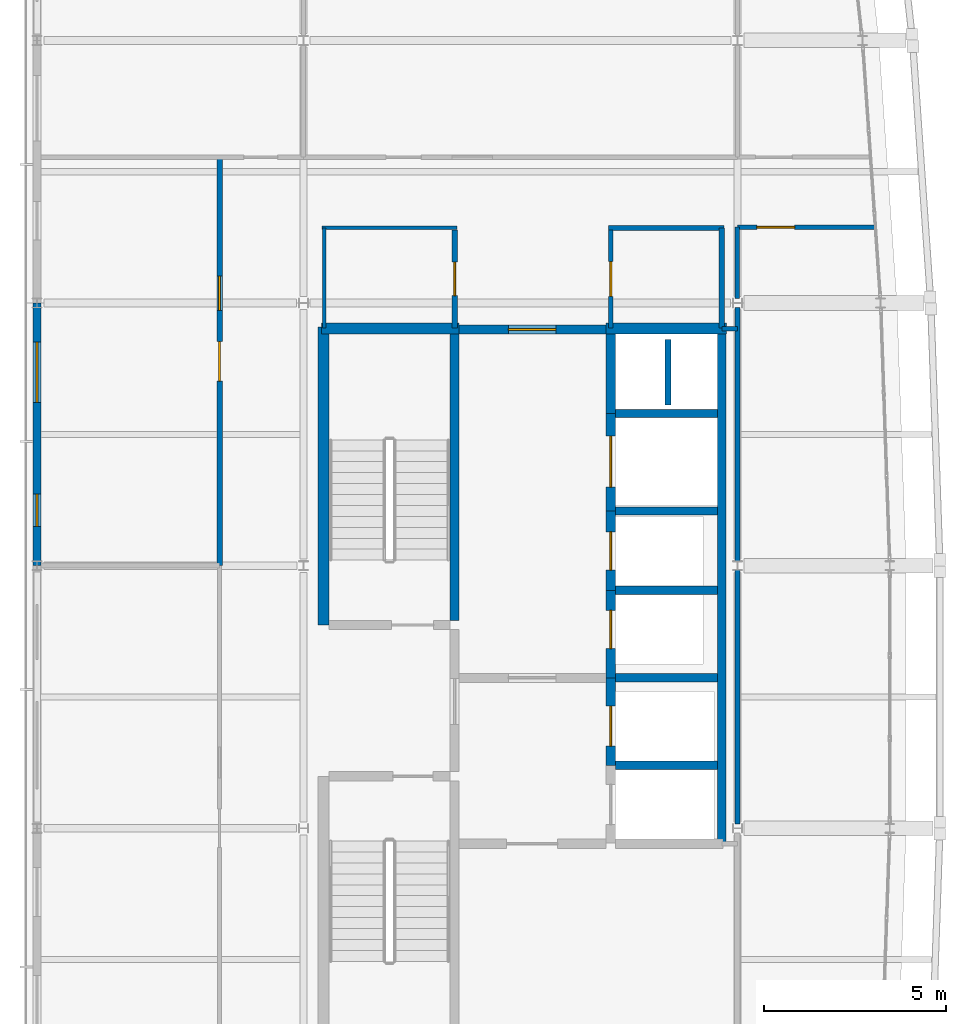
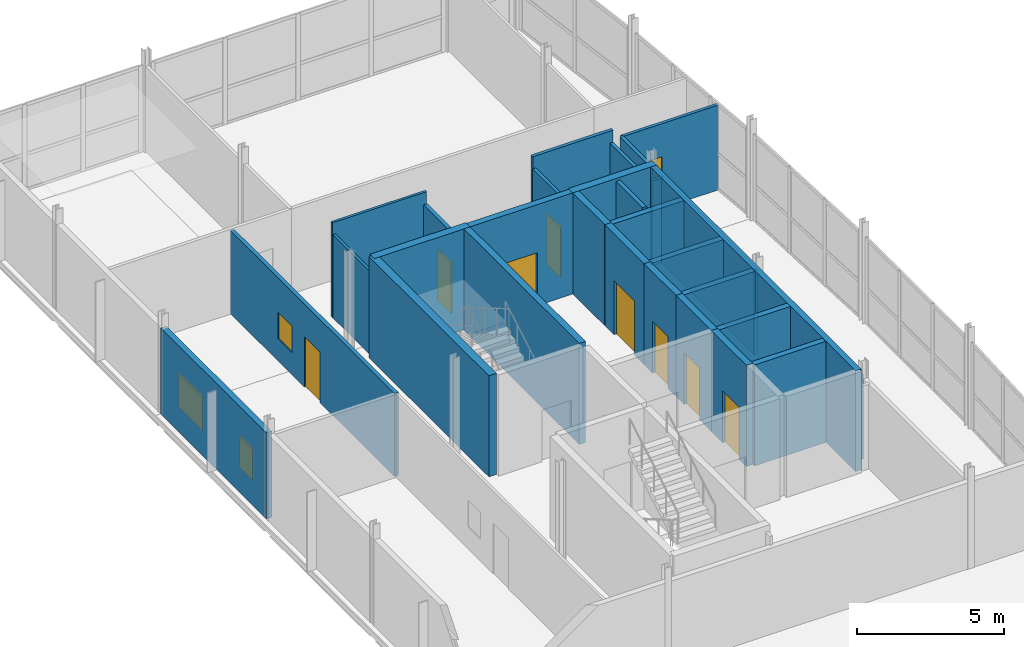
# One storey, part 14 of 17: 30 walls, 9 doors, 3 windows, 12 openings.
"""IFC4 building model written with IfcOpenShell, lengths in metres."""

from ifc_helpers import new_model, si_unit, direction, frame, frame_2d, origin, place, context, subcontext, project, spatial, rectangle, extrude, material, layer, layer_set, type_object, element, fill, save


model = new_model("IFC4")

# Units and contexts
model_context = context("Model", 3, precision=1e-05, world=origin(), true_north=direction((0.0, 1.0)))
body_context = subcontext(model_context, "Body", "Model", "MODEL_VIEW")
ifc_project = project(units=[si_unit("LENGTHUNIT", "METRE"), si_unit("AREAUNIT", "SQUARE_METRE"), si_unit("VOLUMEUNIT", "CUBIC_METRE"), si_unit("PLANEANGLEUNIT", "RADIAN"), si_unit("MASSUNIT", "GRAM", prefix="KILO")], contexts=[model_context])

# Site, building, storey
site_placement = place(None, origin())
site = spatial("IfcSite", under=ifc_project, at=site_placement, CompositionType="ELEMENT")
building_placement = place(site_placement, origin())
building = spatial("IfcBuilding", under=site, at=building_placement, Name="Quillay Park Conservatory", CompositionType="ELEMENT")
storey_placement = place(building_placement, frame((0.0, 0.0, 60.300048828125)))
storey = spatial("IfcBuildingStorey", under=building, at=storey_placement, Name="L14", CompositionType="ELEMENT", Elevation=60.300048828125)

# Walls
ifc_material_1 = material(Name="Steel-Stud Acoustic Gypsum Board Partition", Category="steel")
ifc_layer_1 = layer(ifc_material_1, 0.10009765625)
ifc_layer_set_1 = layer_set([ifc_layer_1], Name="ACOUSTIC GYPSUM PARTITION 100 (Steel-Stud Acoustic Gypsum Board Partition)")
wall_type_1 = type_object("IfcWallType", Name="ACOUSTIC GYPSUM PARTITION 100", PredefinedType="PARTITIONING", material=ifc_layer_set_1)
wall_1_placement = place(storey_placement, frame((8.360107421875, 101.659912109375, 0.0), z_axis=(0.0, 0.0, 1.0), x_axis=(1.0, 0.0, 0.0)))
element("IfcWall", 1, at=wall_1_placement, inside=storey, type_object=wall_type_1, Name="L14 Accessible WC North Wall", PredefinedType="PARTITIONING", context=body_context, shape_type="SweptSolid", body=[
    extrude(rectangle(XDim=3.699951171875, YDim=0.10009765625, at=frame_2d((1.85009765625, 0.0))), origin(), (0.0, 0.0, 1.0), 3.949951171875),
])
ifc_material_2 = material(Name="Steel-Stud Acoustic Gypsum Board Partition", Category="steel")
ifc_layer_2 = layer(ifc_material_2, 0.10498046875)
ifc_layer_set_2 = layer_set([ifc_layer_2], Name="ACOUSTIC GYPSUM PARTITION 105 (Steel-Stud Acoustic Gypsum Board Partition)")
wall_type_2 = type_object("IfcWallType", Name="ACOUSTIC GYPSUM PARTITION 105", PredefinedType="PARTITIONING", material=ifc_layer_set_2)
wall_2_placement = place(storey_placement, frame((8.419921875, 98.919921875, 0.0), z_axis=(0.0, 0.0, 1.0), x_axis=(0.0, 1.0, 0.0)))
element("IfcWall", 2, at=wall_2_placement, inside=storey, type_object=wall_type_2, Name="L14 Accessible WC West Wall", PredefinedType="PARTITIONING", context=body_context, shape_type="SweptSolid", body=[
    extrude(rectangle(XDim=2.739990234375, YDim=0.10498046875, at=frame_2d((1.3701171875, 0.0))), origin(), (0.0, 0.0, 1.0), 3.450927734375),
])
ifc_material_3 = material(Name="Steel-Stud Acoustic Gypsum Board Partition", Category="steel")
ifc_layer_3 = layer(ifc_material_3, 0.1201171875)
ifc_layer_set_3 = layer_set([ifc_layer_3], Name="ACOUSTIC GYPSUM PARTITION 120 (Steel-Stud Acoustic Gypsum Board Partition)")
wall_type_3 = type_object("IfcWallType", Name="ACOUSTIC GYPSUM PARTITION 120", PredefinedType="PARTITIONING", material=ifc_layer_set_3)
wall_3_placement = place(storey_placement, frame((19.75, 98.89990234375, 0.0), z_axis=(0.0, 0.0, 1.0), x_axis=(-1.0, 0.0, 0.0)))
element("IfcWall", 3, at=wall_3_placement, inside=storey, type_object=wall_type_3, Name="L14 Core North-East Closure", PredefinedType="PARTITIONING", context=body_context, shape_type="SweptSolid", body=[
    extrude(rectangle(XDim=0.429931640625, YDim=0.1201171875, at=frame_2d((0.21484375, 0.0))), origin(), (0.0, 0.0, 1.0), 3.52685546875),
])

# Wall, opening, door
wall_4_placement = place(storey_placement, frame((19.75, 101.679931640625, 0.0), z_axis=(0.0, 0.0, 1.0), x_axis=(1.0, 0.0, 0.0)))
wall_4 = element("IfcWall", 4, at=wall_4_placement, inside=storey, type_object=wall_type_3, Name="L14 Andean Cordillera Climate Observatory Studio North Door Wall", PredefinedType="PARTITIONING", context=body_context, shape_type="SweptSolid", body=[
    extrude(rectangle(XDim=3.7900390625, YDim=0.1201171875, at=frame_2d((1.89501953125, 0.0))), origin(), (0.0, 0.0, 1.0), 3.52685546875),
])
opening_1_placement = place(wall_4_placement, frame((0.530029296875, 0.0, 0.0)))
opening_1 = element("IfcOpeningElement", 5, at=opening_1_placement, cuts=wall_4, Name="Opening D-RM10", PredefinedType="OPENING", context=body_context, shape_type="SweptSolid", body=[
    extrude(rectangle(XDim=1.0400390625, YDim=2.14990234375, at=frame_2d((0.52001953125, 1.074951171875))), frame((0.0, 0.06005859375, 0.0), z_axis=(0.0, -1.0, 0.0), x_axis=(1.0, 0.0, 0.0)), (0.0, 0.0, 1.0), 0.1201171875),
])
ifc_material_4 = material(Name="Thermally Broken Anodised Aluminium 6063-T6", Category="aluminium")
door_type_1 = type_object("IfcDoorType", Name="SINGLE SWING DOOR 1040 X2150", OperationType="NOTDEFINED", PredefinedType="DOOR", material=ifc_material_4)
door_1_placement = place(opening_1_placement, origin())
door_1 = element("IfcDoor", 6, at=door_1_placement, inside=storey, type_object=door_type_1, Name="L14 Door to Andean Cordillera Climate Observatory Studio", OperationType="SINGLE_SWING_RIGHT", OverallHeight=2.14990234375, OverallWidth=1.0400390625, PredefinedType="DOOR", context=body_context, shape_type="SweptSolid", body=[
    extrude(rectangle(XDim=1.0400390625, YDim=2.14990234375, at=frame_2d((0.52001953125, 1.074951171875))), frame((0.0, 0.02490234375, 0.0), z_axis=(0.0, -1.0, 0.0), x_axis=(1.0, 0.0, 0.0)), (0.0, 0.0, 1.0), 0.050048828125),
])
fill(opening_1, door_1)

ifc_material_5 = material(Name="Steel-Stud Acoustic Gypsum Board Partition", Category="steel")
ifc_layer_4 = layer(ifc_material_5, 0.125)
ifc_layer_set_4 = layer_set([ifc_layer_4], Name="ACOUSTIC GYPSUM PARTITION 125 (Steel-Stud Acoustic Gypsum Board Partition)")
wall_type_4 = type_object("IfcWallType", Name="ACOUSTIC GYPSUM PARTITION 125", PredefinedType="PARTITIONING", material=ifc_layer_set_4)
wall_5_placement = place(storey_placement, frame((16.280029296875, 98.919921875, 0.0), z_axis=(0.0, 0.0, 1.0), x_axis=(0.0, 1.0, 0.0)))
wall_5 = element("IfcWall", 7, at=wall_5_placement, inside=storey, type_object=wall_type_4, Name="L14 Washroom Door Wall", PredefinedType="PARTITIONING", context=body_context, shape_type="SweptSolid", body=[
    extrude(rectangle(XDim=2.68017578125, YDim=0.125, at=frame_2d((1.340087890625, 0.0))), origin(), (0.0, 0.0, 1.0), 3.450927734375),
])
opening_2_placement = place(wall_5_placement, frame((0.864990234375, 0.0, 0.0)))
opening_2 = element("IfcOpeningElement", 8, at=opening_2_placement, cuts=wall_5, Name="Opening D-RM02", PredefinedType="OPENING", context=body_context, shape_type="SweptSolid", body=[
    extrude(rectangle(XDim=0.949951171875, YDim=2.10009765625, at=frame_2d((0.47509765625, 1.050048828125))), frame((0.0, 0.0625, 0.0), z_axis=(0.0, -1.0, 0.0), x_axis=(1.0, 0.0, 0.0)), (0.0, 0.0, 1.0), 0.125),
])
ifc_material_6 = material(Name="Thermally Broken Anodised Aluminium 6063-T6", Category="aluminium")
door_type_2 = type_object("IfcDoorType", Name="SINGLE SWING DOOR 950 X2100", OperationType="NOTDEFINED", PredefinedType="DOOR", material=ifc_material_6)
door_2_placement = place(opening_2_placement, origin())
door_2 = element("IfcDoor", 9, at=door_2_placement, inside=storey, type_object=door_type_2, Name="L14 Door to L14 Restroom and Washroom", OperationType="SINGLE_SWING_RIGHT", OverallHeight=2.10009765625, OverallWidth=0.949951171875, PredefinedType="DOOR", context=body_context, shape_type="SweptSolid", body=[
    extrude(rectangle(XDim=0.949951171875, YDim=2.10009765625, at=frame_2d((0.47509765625, 1.050048828125))), frame((0.0, 0.02490234375, 0.0), z_axis=(0.0, -1.0, 0.0), x_axis=(1.0, 0.0, 0.0)), (0.0, 0.0, 1.0), 0.050048828125),
])
fill(opening_2, door_2)

# Walls
wall_6_placement = place(storey_placement, frame((19.75, 99.722900390625, 0.0), z_axis=(0.0, 0.0, 1.0), x_axis=(0.0, 1.0, 0.0)))
element("IfcWall", 10, at=wall_6_placement, inside=storey, type_object=wall_type_4, Name="L14 Andean Cordillera Climate Observatory Studio West Wall 4", PredefinedType="PARTITIONING", context=body_context, shape_type="SweptSolid", body=[
    extrude(rectangle(XDim=1.95703125, YDim=0.125, at=frame_2d((0.978515625, 0.0))), origin(), (0.0, 0.0, 1.0), 3.52685546875),
])
ifc_material_7 = material(Name="Steel-Stud Acoustic Gypsum Board Partition", Category="steel")
ifc_layer_5 = layer(ifc_material_7, 0.1298828125)
ifc_layer_set_5 = layer_set([ifc_layer_5], Name="ACOUSTIC GYPSUM PARTITION 130 (Steel-Stud Acoustic Gypsum Board Partition)")
wall_type_5 = type_object("IfcWallType", Name="ACOUSTIC GYPSUM PARTITION 130", PredefinedType="PARTITIONING", material=ifc_layer_set_5)
wall_7_placement = place(storey_placement, frame((19.3798828125, 101.659912109375, 0.0), z_axis=(0.0, 0.0, 1.0), x_axis=(-1.0, 0.0, 0.0)))
element("IfcWall", 11, at=wall_7_placement, inside=storey, type_object=wall_type_5, Name="L14 Washroom North Wall", PredefinedType="PARTITIONING", context=body_context, shape_type="SweptSolid", body=[
    extrude(rectangle(XDim=3.159912109375, YDim=0.1298828125, at=frame_2d((1.580078125, 0.0))), origin(), (0.0, 0.0, 1.0), 3.949951171875),
])
wall_8_placement = place(storey_placement, frame((19.75, 92.52490234375, 0.0), z_axis=(0.0, 0.0, 1.0), x_axis=(0.0, 1.0, 0.0)))
element("IfcWall", 12, at=wall_8_placement, inside=storey, type_object=wall_type_5, Name="L14 Andean Cordillera Climate Observatory Studio West Wall 3", PredefinedType="PARTITIONING", context=body_context, shape_type="SweptSolid", body=[
    extrude(rectangle(XDim=6.9521484375, YDim=0.1298828125, at=frame_2d((3.47607421875, 0.0))), origin(), (0.0, 0.0, 1.0), 3.52685546875),
])
ifc_material_8 = material(Name="Steel-Stud Acoustic Gypsum Board Partition", Category="steel")
ifc_layer_6 = layer(ifc_material_8, 0.139892578125)
ifc_layer_set_6 = layer_set([ifc_layer_6], Name="ACOUSTIC GYPSUM PARTITION 140 (Steel-Stud Acoustic Gypsum Board Partition)")
wall_type_6 = type_object("IfcWallType", Name="ACOUSTIC GYPSUM PARTITION 140", PredefinedType="PARTITIONING", material=ifc_layer_set_6)
wall_9_placement = place(storey_placement, frame((19.320068359375, 98.919921875, 0.0), z_axis=(0.0, 0.0, 1.0), x_axis=(0.0, 1.0, 0.0)))
element("IfcWall", 13, at=wall_9_placement, inside=storey, type_object=wall_type_6, Name="L14 Washroom East Wall", PredefinedType="PARTITIONING", context=body_context, shape_type="SweptSolid", body=[
    extrude(rectangle(XDim=2.739990234375, YDim=0.139892578125, at=frame_2d((1.3701171875, 0.0))), origin(), (0.0, 0.0, 1.0), 3.450927734375),
])
wall_10_placement = place(storey_placement, frame((19.75, 85.322998046875, 0.0), z_axis=(0.0, 0.0, 1.0), x_axis=(0.0, 1.0, 0.0)))
element("IfcWall", 14, at=wall_10_placement, inside=storey, type_object=wall_type_6, Name="L14 Andean Cordillera Climate Observatory Studio West Wall 2", PredefinedType="PARTITIONING", context=body_context, shape_type="SweptSolid", body=[
    extrude(rectangle(XDim=6.951904296875, YDim=0.139892578125, at=frame_2d((3.47607421875, 0.0))), origin(), (0.0, 0.0, 1.0), 3.52685546875),
])

# Wall, opening, door
ifc_material_9 = material(Name="Steel-Stud Acoustic Gypsum Board Partition", Category="steel")
ifc_layer_7 = layer(ifc_material_9, 0.14990234375)
ifc_layer_set_7 = layer_set([ifc_layer_7], Name="ACOUSTIC GYPSUM PARTITION 150 (Steel-Stud Acoustic Gypsum Board Partition)")
wall_type_7 = type_object("IfcWallType", Name="ACOUSTIC GYPSUM PARTITION 150", PredefinedType="PARTITIONING", material=ifc_layer_set_7)
wall_11_placement = place(storey_placement, frame((12.0, 101.60009765625, 0.0), z_axis=(0.0, 0.0, 1.0), x_axis=(0.0, -1.0, 0.0)))
wall_11 = element("IfcWall", 15, at=wall_11_placement, inside=storey, type_object=wall_type_7, Name="L14 Accessible WC Door Wall", PredefinedType="PARTITIONING", context=body_context, shape_type="SweptSolid", body=[
    extrude(rectangle(XDim=2.68017578125, YDim=0.14990234375, at=frame_2d((1.340087890625, 0.0))), origin(), (0.0, 0.0, 1.0), 3.450927734375),
])
opening_3_placement = place(wall_11_placement, frame((0.8798828125, 0.0, 0.0)))
opening_3 = element("IfcOpeningElement", 16, at=opening_3_placement, cuts=wall_11, Name="Opening D-RM01", PredefinedType="OPENING", context=body_context, shape_type="SweptSolid", body=[
    extrude(rectangle(XDim=0.919921875, YDim=2.10009765625, at=frame_2d((0.4599609375, 1.050048828125))), frame((0.0, 0.074951171875, 0.0), z_axis=(0.0, -1.0, 0.0), x_axis=(1.0, 0.0, 0.0)), (0.0, 0.0, 1.0), 0.14990234375),
])
ifc_material_10 = material(Name="Thermally Broken Anodised Aluminium 6063-T6", Category="aluminium")
door_type_3 = type_object("IfcDoorType", Name="SINGLE SWING DOOR 920 X2100", OperationType="NOTDEFINED", PredefinedType="DOOR", material=ifc_material_10)
door_3_placement = place(opening_3_placement, origin())
door_3 = element("IfcDoor", 17, at=door_3_placement, inside=storey, type_object=door_type_3, Name="L14 Door to L14 Accessible WC", OperationType="SINGLE_SWING_LEFT", OverallHeight=2.10009765625, OverallWidth=0.919921875, PredefinedType="DOOR", context=body_context, shape_type="SweptSolid", body=[
    extrude(rectangle(XDim=0.919921875, YDim=2.10009765625, at=frame_2d((0.4599609375, 1.050048828125))), frame((0.0, 0.02490234375, 0.0), z_axis=(0.0, -1.0, 0.0), x_axis=(1.0, 0.0, 0.0)), (0.0, 0.0, 1.0), 0.050048828125),
])
fill(opening_3, door_3)

# Wall, openings, window, door
wall_12_placement = place(storey_placement, frame((5.550048828125, 92.39990234375, 0.0), z_axis=(0.0, 0.0, 1.0), x_axis=(0.0, 1.0, 0.0)))
wall_12 = element("IfcWall", 18, at=wall_12_placement, inside=storey, type_object=wall_type_7, Name="L14 Botanical Field Expedition Map Archive Corridor Wall", PredefinedType="PARTITIONING", context=body_context, shape_type="SweptSolid", body=[
    extrude(rectangle(XDim=11.2001953125, YDim=0.14990234375, at=frame_2d((5.60009765625, 0.0))), origin(), (0.0, 0.0, 1.0), 3.450927734375),
])
opening_4_placement = place(wall_12_placement, frame((5.06005859375, 0.0, 0.0)))
opening_4 = element("IfcOpeningElement", 19, at=opening_4_placement, cuts=wall_12, Name="Opening D-RM06", PredefinedType="OPENING", context=body_context, shape_type="SweptSolid", body=[
    extrude(rectangle(XDim=1.080078125, YDim=2.10009765625, at=frame_2d((0.5400390625, 1.050048828125))), frame((0.0, 0.074951171875, 0.0), z_axis=(0.0, -1.0, 0.0), x_axis=(1.0, 0.0, 0.0)), (0.0, 0.0, 1.0), 0.14990234375),
])
opening_5_placement = place(wall_12_placement, frame((6.989990234375, 0.0, 0.919921875)))
opening_5 = element("IfcOpeningElement", 20, at=opening_5_placement, cuts=wall_12, Name="Opening W-IN02", PredefinedType="OPENING", context=body_context, shape_type="SweptSolid", body=[
    extrude(rectangle(XDim=0.949951171875, YDim=1.10009765625, at=frame_2d((0.47509765625, 0.550048828125))), frame((0.0, 0.074951171875, 0.0), z_axis=(0.0, -1.0, 0.0), x_axis=(1.0, 0.0, 0.0)), (0.0, 0.0, 1.0), 0.14990234375),
])
ifc_material_11 = material(Name="Low-E Double Glazing (Laminated Tempered)", Category="glass")
window_type_1 = type_object("IfcWindowType", Name="OPERABLE VENT WINDOW 950 X1100", PartitioningType="SINGLE_PANEL", PredefinedType="WINDOW", material=ifc_material_11)
window_1_placement = place(opening_5_placement, origin())
window_1 = element("IfcWindow", 21, at=window_1_placement, inside=storey, type_object=window_type_1, Name="L14 Laboratory Vision Panel 050", OverallHeight=1.10009765625, OverallWidth=0.949951171875, PartitioningType="SINGLE_PANEL", PredefinedType="WINDOW", context=body_context, shape_type="SweptSolid", body=[
    extrude(rectangle(XDim=0.949951171875, YDim=1.10009765625, at=frame_2d((0.47509765625, 0.550048828125))), frame((0.0, 0.030029296875, 0.0), z_axis=(0.0, -1.0, 0.0), x_axis=(1.0, 0.0, 0.0)), (0.0, 0.0, 1.0), 0.06005859375),
])
fill(opening_5, window_1)
ifc_material_12 = material(Name="Thermally Broken Anodised Aluminium 6063-T6", Category="aluminium")
door_type_4 = type_object("IfcDoorType", Name="SINGLE SWING DOOR 1080 X2100", OperationType="NOTDEFINED", PredefinedType="DOOR", material=ifc_material_12)
door_4_placement = place(opening_4_placement, origin())
door_4 = element("IfcDoor", 22, at=door_4_placement, inside=storey, type_object=door_type_4, Name="L14 Door to Botanical Field Expedition Map Archive", OperationType="SINGLE_SWING_RIGHT", OverallHeight=2.10009765625, OverallWidth=1.080078125, PredefinedType="DOOR", context=body_context, shape_type="SweptSolid", body=[
    extrude(rectangle(XDim=1.080078125, YDim=2.10009765625, at=frame_2d((0.5400390625, 1.050048828125))), frame((0.0, 0.02490234375, 0.0), z_axis=(0.0, -1.0, 0.0), x_axis=(1.0, 0.0, 0.0)), (0.0, 0.0, 1.0), 0.050048828125),
])
fill(opening_4, door_4)

# Walls
ifc_material_13 = material(Name="Concrete C35/45 (NCh170 Concrete C35/45)", Category="concrete")
ifc_layer_8 = layer(ifc_material_13, 0.22509765625)
ifc_layer_set_8 = layer_set([ifc_layer_8], Name="CORE SHEAR WALL 225 (Concrete C35/45 (NCh170 Concrete C35/45))")
wall_type_8 = type_object("IfcWallType", Name="CORE SHEAR WALL 225", PredefinedType="SHEAR", material=ifc_layer_set_8)
wall_13_placement = place(storey_placement, frame((19.320068359375, 84.800048828125, 0.0), z_axis=(0.0, 0.0, 1.0), x_axis=(0.0, 1.0, 0.0)))
element("IfcWall", 23, at=wall_13_placement, inside=storey, type_object=wall_type_8, Name="L14 Core Shear Wall WL-LFBACK-L14", PredefinedType="SHEAR", context=body_context, shape_type="SweptSolid", body=[
    extrude(rectangle(XDim=13.949951171875, YDim=0.22509765625, at=frame_2d((6.97509765625, 0.0))), origin(), (0.0, 0.0, 1.0), 4.199951171875),
])
for number, where, z_axis, x_axis, name in (
    (24, (16.39990234375, 86.925048828125, 0.0), (0.0, 0.0, 1.0), (1.0, 0.0, 0.0), "L14 Core Shear Wall WL-LFDIV-L14-869"),
    (25, (16.39990234375, 89.324951171875, 0.0), (0.0, 0.0, 1.0), (1.0, 0.0, 0.0), "L14 Core Shear Wall WL-LFDIV-L14-893"),
    (26, (16.39990234375, 91.72509765625, 0.0), (0.0, 0.0, 1.0), (1.0, 0.0, 0.0), "L14 Core Shear Wall WL-LFDIV-L14-917"),
    (27, (16.39990234375, 93.89990234375, 0.0), (0.0, 0.0, 1.0), (1.0, 0.0, 0.0), "L14 Core Shear Wall WL-LFDIV-L14-939"),
    (28, (16.39990234375, 96.574951171875, 0.0), (0.0, 0.0, 1.0), (1.0, 0.0, 0.0), "L14 Core Shear Wall WL-LFDIV-L14-965"),
):
    element("IfcWall", number, at=place(storey_placement, frame(where, z_axis=z_axis, x_axis=x_axis)), inside=storey, type_object=wall_type_8, Name=name, PredefinedType="SHEAR", context=body_context, shape_type="SweptSolid", body=[
        extrude(rectangle(XDim=2.800048828125, YDim=0.22509765625, at=frame_2d((1.39990234375, 0.0))), origin(), (0.0, 0.0, 1.0), 4.199951171875),
    ])
ifc_material_14 = material(Name="Concrete C40/50 (NCh170 Concrete C40/50)", Category="concrete")
ifc_layer_9 = layer(ifc_material_14, 0.25)
ifc_layer_set_9 = layer_set([ifc_layer_9], Name="CORE SHEAR WALL 250 (Concrete C40/50 (NCh170 Concrete C40/50))")
wall_type_9 = type_object("IfcWallType", Name="CORE SHEAR WALL 250", PredefinedType="SHEAR", material=ifc_layer_set_9)
wall_14_placement = place(storey_placement, frame((11.9951171875, 90.89990234375, 0.0), z_axis=(0.0, 0.0, 1.0), x_axis=(0.0, 1.0, 0.0)))
element("IfcWall", 29, at=wall_14_placement, inside=storey, type_object=wall_type_9, Name="L14 Core Shear Wall WL-T1E-L14", PredefinedType="SHEAR", context=body_context, shape_type="SweptSolid", body=[
    extrude(rectangle(XDim=7.85009765625, YDim=0.25, at=frame_2d((3.925048828125, 0.0))), origin(), (0.0, 0.0, 1.0), 4.199951171875),
])

# Wall, opening, door
wall_15_placement = place(storey_placement, frame((12.1201171875, 98.875, 0.0), z_axis=(0.0, 0.0, 1.0), x_axis=(1.0, 0.0, 0.0)))
wall_15 = element("IfcWall", 30, at=wall_15_placement, inside=storey, type_object=wall_type_9, Name="L14 Core Shear Wall WL-PAXN-L14", PredefinedType="SHEAR", context=body_context, shape_type="SweptSolid", body=[
    extrude(rectangle(XDim=4.02978515625, YDim=0.25, at=frame_2d((2.014892578125, 0.0))), origin(), (0.0, 0.0, 1.0), 4.199951171875),
])
opening_6_placement = place(wall_15_placement, frame((1.35009765625, 0.0, 0.0)))
opening_6 = element("IfcOpeningElement", 31, at=opening_6_placement, cuts=wall_15, Name="Opening D-LB02", PredefinedType="OPENING", context=body_context, shape_type="SweptSolid", body=[
    extrude(rectangle(XDim=1.300048828125, YDim=2.199951171875, at=frame_2d((0.64990234375, 1.10009765625))), frame((0.0, 0.125, 0.0), z_axis=(0.0, -1.0, 0.0), x_axis=(1.0, 0.0, 0.0)), (0.0, 0.0, 1.0), 0.25),
])
ifc_material_15 = material(Name="Steel ASTM A572 Grade 50", Category="steel")
door_type_5 = type_object("IfcDoorType", Name="FIRE RATED LOBBY DOOR 1300 X2200", OperationType="NOTDEFINED", PredefinedType="DOOR", material=ifc_material_15)
door_5_placement = place(opening_6_placement, origin())
door_5 = element("IfcDoor", 32, at=door_5_placement, inside=storey, type_object=door_type_5, Name="L14 North Lift Lobby Door", OperationType="SINGLE_SWING_RIGHT", OverallHeight=2.199951171875, OverallWidth=1.300048828125, PredefinedType="DOOR", context=body_context, shape_type="SweptSolid", body=[
    extrude(rectangle(XDim=1.300048828125, YDim=2.199951171875, at=frame_2d((0.64990234375, 1.10009765625))), frame((0.0, 0.02490234375, 0.0), z_axis=(0.0, -1.0, 0.0), x_axis=(1.0, 0.0, 0.0)), (0.0, 0.0, 1.0), 0.050048828125),
])
fill(opening_6, door_5)

wall_16_placement = place(storey_placement, frame((16.27490234375, 86.925048828125, 0.0), z_axis=(0.0, 0.0, 1.0), x_axis=(0.0, 1.0, 0.0)))
wall_16 = element("IfcWall", 33, at=wall_16_placement, inside=storey, type_object=wall_type_9, Name="L14 Core Shear Wall WL-LFFR-L14-LF-FF2", PredefinedType="SHEAR", context=body_context, shape_type="SweptSolid", body=[
    extrude(rectangle(XDim=2.39990234375, YDim=0.25, at=frame_2d((1.199951171875, 0.0))), origin(), (0.0, 0.0, 1.0), 4.199951171875),
])
opening_7_placement = place(wall_16_placement, frame((0.52490234375, 0.0, 0.0)))
opening_7 = element("IfcOpeningElement", 34, at=opening_7_placement, cuts=wall_16, Name="Opening LD01", PredefinedType="OPENING", context=body_context, shape_type="SweptSolid", body=[
    extrude(rectangle(XDim=1.10009765625, YDim=2.14990234375, at=frame_2d((0.550048828125, 1.074951171875))), frame((0.0, 0.125, 0.0), z_axis=(0.0, -1.0, 0.0), x_axis=(1.0, 0.0, 0.0)), (0.0, 0.0, 1.0), 0.25),
])
ifc_material_16 = material(Name="Steel ASTM A572 Grade 50", Category="steel")
door_type_6 = type_object("IfcDoorType", Name="LIFT LANDING SLIDING DOOR 1100 X2150", OperationType="NOTDEFINED", PredefinedType="DOOR", material=ifc_material_16)
door_6_placement = place(opening_7_placement, origin())
door_6 = element("IfcDoor", 35, at=door_6_placement, inside=storey, type_object=door_type_6, Name="L14 LF-FF2 Lift Landing Door LD01", OperationType="SLIDING_TO_LEFT", OverallHeight=2.14990234375, OverallWidth=1.10009765625, PredefinedType="DOOR", context=body_context, shape_type="SweptSolid", body=[
    extrude(rectangle(XDim=1.10009765625, YDim=2.14990234375, at=frame_2d((0.550048828125, 1.074951171875))), frame((0.0, 0.02490234375, 0.0), z_axis=(0.0, -1.0, 0.0), x_axis=(1.0, 0.0, 0.0)), (0.0, 0.0, 1.0), 0.050048828125),
])
fill(opening_7, door_6)

wall_17_placement = place(storey_placement, frame((16.27490234375, 89.324951171875, 0.0), z_axis=(0.0, 0.0, 1.0), x_axis=(0.0, 1.0, 0.0)))
wall_17 = element("IfcWall", 36, at=wall_17_placement, inside=storey, type_object=wall_type_9, Name="L14 Core Shear Wall WL-LFFR-L14-LF-P1", PredefinedType="SHEAR", context=body_context, shape_type="SweptSolid", body=[
    extrude(rectangle(XDim=2.400146484375, YDim=0.25, at=frame_2d((1.2001953125, 0.0))), origin(), (0.0, 0.0, 1.0), 4.199951171875),
])
opening_8_placement = place(wall_17_placement, frame((0.800048828125, 0.0, 0.0)))
opening_8 = element("IfcOpeningElement", 37, at=opening_8_placement, cuts=wall_17, Name="Opening LD02", PredefinedType="OPENING", context=body_context, shape_type="SweptSolid", body=[
    extrude(rectangle(XDim=1.050048828125, YDim=2.14990234375, at=frame_2d((0.52490234375, 1.074951171875))), frame((0.0, 0.125, 0.0), z_axis=(0.0, -1.0, 0.0), x_axis=(1.0, 0.0, 0.0)), (0.0, 0.0, 1.0), 0.25),
])
ifc_material_17 = material(Name="Steel ASTM A572 Grade 50", Category="steel")
door_type_7 = type_object("IfcDoorType", Name="LIFT LANDING SLIDING DOOR 1050 X2150", OperationType="NOTDEFINED", PredefinedType="DOOR", material=ifc_material_17)
door_7_placement = place(opening_8_placement, origin())
door_7 = element("IfcDoor", 38, at=door_7_placement, inside=storey, type_object=door_type_7, Name="L14 LF-P1 Lift Landing Door LD02", OperationType="SLIDING_TO_LEFT", OverallHeight=2.14990234375, OverallWidth=1.050048828125, PredefinedType="DOOR", context=body_context, shape_type="SweptSolid", body=[
    extrude(rectangle(XDim=1.050048828125, YDim=2.14990234375, at=frame_2d((0.52490234375, 1.074951171875))), frame((0.0, 0.02490234375, 0.0), z_axis=(0.0, -1.0, 0.0), x_axis=(1.0, 0.0, 0.0)), (0.0, 0.0, 1.0), 0.050048828125),
])
fill(opening_8, door_7)

wall_18_placement = place(storey_placement, frame((16.27490234375, 91.72509765625, 0.0), z_axis=(0.0, 0.0, 1.0), x_axis=(0.0, 1.0, 0.0)))
wall_18 = element("IfcWall", 39, at=wall_18_placement, inside=storey, type_object=wall_type_9, Name="L14 Core Shear Wall WL-LFFR-L14-LF-P2", PredefinedType="SHEAR", context=body_context, shape_type="SweptSolid", body=[
    extrude(rectangle(XDim=2.1748046875, YDim=0.25, at=frame_2d((1.08740234375, 0.0))), origin(), (0.0, 0.0, 1.0), 4.199951171875),
])
opening_9_placement = place(wall_18_placement, frame((0.550048828125, 0.0, 0.0)))
opening_9 = element("IfcOpeningElement", 40, at=opening_9_placement, cuts=wall_18, Name="Opening LD02", PredefinedType="OPENING", context=body_context, shape_type="SweptSolid", body=[
    extrude(rectangle(XDim=1.050048828125, YDim=2.14990234375, at=frame_2d((0.52490234375, 1.074951171875))), frame((0.0, 0.125, 0.0), z_axis=(0.0, -1.0, 0.0), x_axis=(1.0, 0.0, 0.0)), (0.0, 0.0, 1.0), 0.25),
])
door_8_placement = place(opening_9_placement, origin())
door_8 = element("IfcDoor", 41, at=door_8_placement, inside=storey, type_object=door_type_7, Name="L14 LF-P2 Lift Landing Door LD02", OperationType="SLIDING_TO_LEFT", OverallHeight=2.14990234375, OverallWidth=1.050048828125, PredefinedType="DOOR", context=body_context, shape_type="SweptSolid", body=[
    extrude(rectangle(XDim=1.050048828125, YDim=2.14990234375, at=frame_2d((0.52490234375, 1.074951171875))), frame((0.0, 0.02490234375, 0.0), z_axis=(0.0, -1.0, 0.0), x_axis=(1.0, 0.0, 0.0)), (0.0, 0.0, 1.0), 0.050048828125),
])
fill(opening_9, door_8)

wall_19_placement = place(storey_placement, frame((16.27490234375, 93.89990234375, 0.0), z_axis=(0.0, 0.0, 1.0), x_axis=(0.0, 1.0, 0.0)))
wall_19 = element("IfcWall", 42, at=wall_19_placement, inside=storey, type_object=wall_type_9, Name="L14 Core Shear Wall WL-LFFR-L14-LF-G1", PredefinedType="SHEAR", context=body_context, shape_type="SweptSolid", body=[
    extrude(rectangle(XDim=2.675048828125, YDim=0.25, at=frame_2d((1.33740234375, 0.0))), origin(), (0.0, 0.0, 1.0), 4.199951171875),
])
opening_10_placement = place(wall_19_placement, frame((0.64990234375, 0.0, 0.0)))
opening_10 = element("IfcOpeningElement", 43, at=opening_10_placement, cuts=wall_19, Name="Opening LD03", PredefinedType="OPENING", context=body_context, shape_type="SweptSolid", body=[
    extrude(rectangle(XDim=1.39990234375, YDim=2.25, at=frame_2d((0.699951171875, 1.125))), frame((0.0, 0.125, 0.0), z_axis=(0.0, -1.0, 0.0), x_axis=(1.0, 0.0, 0.0)), (0.0, 0.0, 1.0), 0.25),
])
ifc_material_18 = material(Name="Steel ASTM A572 Grade 50", Category="steel")
door_type_8 = type_object("IfcDoorType", Name="LIFT LANDING SLIDING DOOR 1400 X2250", OperationType="NOTDEFINED", PredefinedType="DOOR", material=ifc_material_18)
door_9_placement = place(opening_10_placement, origin())
door_9 = element("IfcDoor", 44, at=door_9_placement, inside=storey, type_object=door_type_8, Name="L14 LF-G1 Lift Landing Door LD03", OperationType="SLIDING_TO_LEFT", OverallHeight=2.25, OverallWidth=1.39990234375, PredefinedType="DOOR", context=body_context, shape_type="SweptSolid", body=[
    extrude(rectangle(XDim=1.39990234375, YDim=2.25, at=frame_2d((0.699951171875, 1.125))), frame((0.0, 0.02490234375, 0.0), z_axis=(0.0, -1.0, 0.0), x_axis=(1.0, 0.0, 0.0)), (0.0, 0.0, 1.0), 0.050048828125),
])
fill(opening_10, door_9)

# Walls
wall_20_placement = place(storey_placement, frame((16.27490234375, 96.574951171875, 0.0), z_axis=(0.0, 0.0, 1.0), x_axis=(0.0, 1.0, 0.0)))
element("IfcWall", 45, at=wall_20_placement, inside=storey, type_object=wall_type_9, Name="L14 Core Shear Wall WL-MEPR-L14", PredefinedType="SHEAR", context=body_context, shape_type="SweptSolid", body=[
    extrude(rectangle(XDim=2.175048828125, YDim=0.25, at=frame_2d((1.08740234375, 0.0))), origin(), (0.0, 0.0, 1.0), 4.199951171875),
])
ifc_material_19 = material(Name="Concrete C40/50 (NCh170 Concrete C40/50)", Category="concrete")
ifc_layer_10 = layer(ifc_material_19, 0.300048828125)
ifc_layer_set_10 = layer_set([ifc_layer_10], Name="CORE SHEAR WALL 300 (Concrete C40/50 (NCh170 Concrete C40/50))")
wall_type_10 = type_object("IfcWallType", Name="CORE SHEAR WALL 300", PredefinedType="SHEAR", material=ifc_layer_set_10)
wall_21_placement = place(storey_placement, frame((8.39990234375, 90.77490234375, 0.0), z_axis=(0.0, 0.0, 1.0), x_axis=(0.0, 1.0, 0.0)))
element("IfcWall", 46, at=wall_21_placement, inside=storey, type_object=wall_type_10, Name="L14 Core Shear Wall WL-TCW-N-L14", PredefinedType="SHEAR", context=body_context, shape_type="SweptSolid", body=[
    extrude(rectangle(XDim=8.175048828125, YDim=0.300048828125, at=frame_2d((4.08740234375, 0.0))), origin(), (0.0, 0.0, 1.0), 4.199951171875),
])
wall_22_placement = place(storey_placement, frame((8.35009765625, 98.89990234375, 0.0), z_axis=(0.0, 0.0, 1.0), x_axis=(1.0, 0.0, 0.0)))
element("IfcWall", 47, at=wall_22_placement, inside=storey, type_object=wall_type_10, Name="L14 Core Shear Wall WL-TCN-W-L14", PredefinedType="SHEAR", context=body_context, shape_type="SweptSolid", body=[
    extrude(rectangle(XDim=3.77001953125, YDim=0.300048828125, at=frame_2d((1.885009765625, 0.0))), origin(), (0.0, 0.0, 1.0), 4.199951171875),
])
wall_23_placement = place(storey_placement, frame((16.14990234375, 98.89990234375, 0.0), z_axis=(0.0, 0.0, 1.0), x_axis=(1.0, 0.0, 0.0)))
element("IfcWall", 48, at=wall_23_placement, inside=storey, type_object=wall_type_10, Name="L14 Core Shear Wall WL-TCN-E-L14", PredefinedType="SHEAR", context=body_context, shape_type="SweptSolid", body=[
    extrude(rectangle(XDim=3.300048828125, YDim=0.300048828125, at=frame_2d((1.64990234375, 0.0))), origin(), (0.0, 0.0, 1.0), 4.199951171875),
])

# Wall, openings, windows
ifc_material_20 = material(Name="Glass-Fibre Reinforced Concrete (GRC) Cladding", Category="concrete")
ifc_layer_11 = layer(ifc_material_20, 0.219970703125)
ifc_layer_set_11 = layer_set([ifc_layer_11], Name="EXTERIOR SOLID WALL 220 (Glass-Fibre Reinforced Concrete (GRC) Cladding)")
wall_type_11 = type_object("IfcWallType", Name="EXTERIOR SOLID WALL 220", PredefinedType="SOLIDWALL", material=ifc_layer_set_11)
wall_24_placement = place(storey_placement, frame((0.550048828125, 92.39990234375, 0.0), z_axis=(0.0, 0.0, 1.0), x_axis=(0.0, 1.0, 0.0)))
wall_24 = element("IfcWall", 49, at=wall_24_placement, inside=storey, type_object=wall_type_11, Name="L14 External Wall WL-EXT-V4W-L14-2", PredefinedType="SOLIDWALL", context=body_context, shape_type="SweptSolid", body=[
    extrude(rectangle(XDim=7.2001953125, YDim=0.219970703125, at=frame_2d((3.60009765625, 0.0))), origin(), (0.0, 0.0, 1.0), 3.576904296875),
])
opening_11_placement = place(wall_24_placement, frame((1.070068359375, 0.0, 0.919921875)))
opening_11 = element("IfcOpeningElement", 50, at=opening_11_placement, cuts=wall_24, Name="Opening W-17", PredefinedType="OPENING", context=body_context, shape_type="SweptSolid", body=[
    extrude(rectangle(XDim=0.89990234375, YDim=1.300048828125, at=frame_2d((0.449951171875, 0.64990234375))), frame((0.0, 0.10986328125, 0.0), z_axis=(0.0, -1.0, 0.0), x_axis=(1.0, 0.0, 0.0)), (0.0, 0.0, 1.0), 0.219970703125),
])
opening_12_placement = place(wall_24_placement, frame((4.47998046875, 0.0, 0.919921875)))
opening_12 = element("IfcOpeningElement", 51, at=opening_12_placement, cuts=wall_24, Name="Opening W-04", PredefinedType="OPENING", context=body_context, shape_type="SweptSolid", body=[
    extrude(rectangle(XDim=1.64990234375, YDim=1.39990234375, at=frame_2d((0.824951171875, 0.699951171875))), frame((0.0, 0.10986328125, 0.0), z_axis=(0.0, -1.0, 0.0), x_axis=(1.0, 0.0, 0.0)), (0.0, 0.0, 1.0), 0.219970703125),
])
ifc_material_21 = material(Name="Low-E Double Glazing (Laminated Tempered)", Category="glass")
window_type_2 = type_object("IfcWindowType", Name="FIXED CASEMENT WINDOW 1650 X1400", PartitioningType="DOUBLE_PANEL_VERTICAL", PredefinedType="WINDOW", material=ifc_material_21)
window_2_placement = place(opening_12_placement, origin())
window_2 = element("IfcWindow", 52, at=window_2_placement, inside=storey, type_object=window_type_2, Name="L14 Exterior Window 0309", OverallHeight=1.39990234375, OverallWidth=1.64990234375, PartitioningType="DOUBLE_PANEL_VERTICAL", PredefinedType="WINDOW", context=body_context, shape_type="SweptSolid", body=[
    extrude(rectangle(XDim=1.64990234375, YDim=1.39990234375, at=frame_2d((0.824951171875, 0.699951171875))), frame((0.0, 0.030029296875, 0.0), z_axis=(0.0, -1.0, 0.0), x_axis=(1.0, 0.0, 0.0)), (0.0, 0.0, 1.0), 0.06005859375),
])
fill(opening_12, window_2)
ifc_material_22 = material(Name="Low-E Double Glazing (Laminated Tempered)", Category="glass")
window_type_3 = type_object("IfcWindowType", Name="FIXED CASEMENT WINDOW 900 X1300", PartitioningType="SINGLE_PANEL", PredefinedType="WINDOW", material=ifc_material_22)
window_3_placement = place(opening_11_placement, origin())
window_3 = element("IfcWindow", 53, at=window_3_placement, inside=storey, type_object=window_type_3, Name="L14 Exterior Window 0308", OverallHeight=1.300048828125, OverallWidth=0.89990234375, PartitioningType="SINGLE_PANEL", PredefinedType="WINDOW", context=body_context, shape_type="SweptSolid", body=[
    extrude(rectangle(XDim=0.89990234375, YDim=1.300048828125, at=frame_2d((0.449951171875, 0.64990234375))), frame((0.0, 0.030029296875, 0.0), z_axis=(0.0, -1.0, 0.0), x_axis=(1.0, 0.0, 0.0)), (0.0, 0.0, 1.0), 0.06005859375),
])
fill(opening_11, window_3)

# Wall
ifc_material_23 = material(Name="Steel-Stud Acoustic Gypsum Board Partition", Category="steel")
ifc_layer_12 = layer(ifc_material_23, 0.1650390625)
ifc_layer_set_12 = layer_set([ifc_layer_12], Name="PLUMBING SHAFT WALL 165 (Steel-Stud Acoustic Gypsum Board Partition)")
wall_type_12 = type_object("IfcWallType", Name="PLUMBING SHAFT WALL 165", PredefinedType="PLUMBINGWALL", material=ifc_layer_set_12)
wall_25_placement = place(storey_placement, frame((17.85009765625, 96.800048828125, 0.0), z_axis=(0.0, 0.0, 1.0), x_axis=(0.0, 1.0, 0.0)))
element("IfcWall", 54, at=wall_25_placement, inside=storey, type_object=wall_type_12, Name="L14 Plumbing Riser Wall", PredefinedType="PLUMBINGWALL", context=body_context, shape_type="SweptSolid", body=[
    extrude(rectangle(XDim=1.800048828125, YDim=0.1650390625, at=frame_2d((0.89990234375, 0.0))), origin(), (0.0, 0.0, 1.0), 4.199951171875),
])

save(model, "model.ifc")
